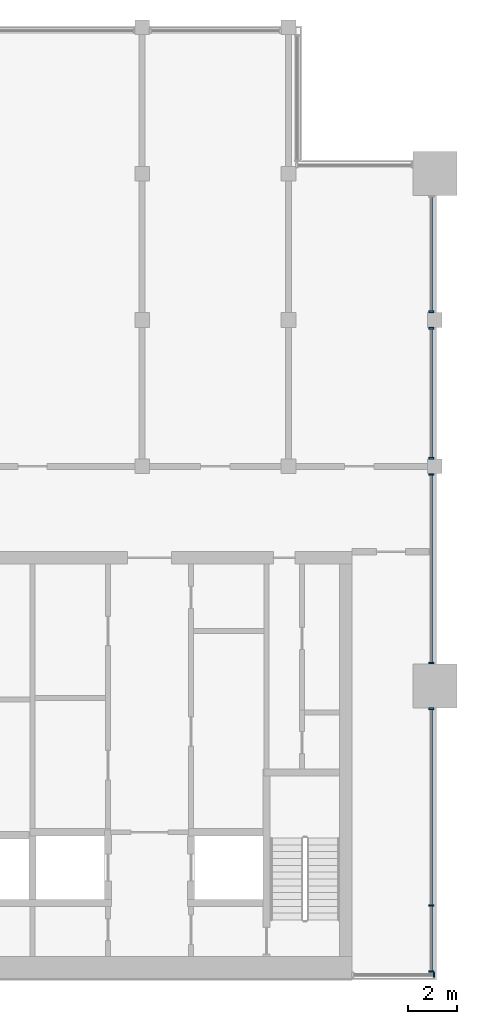
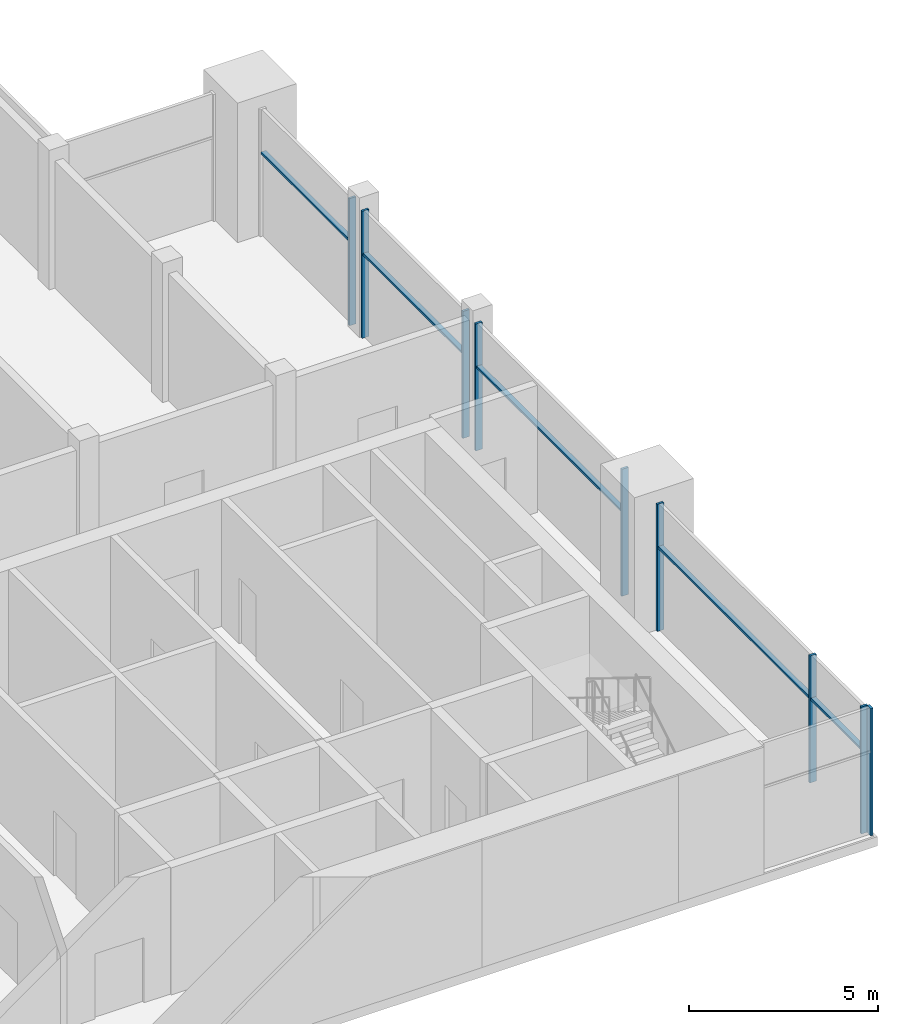
# One storey, part 4 of 9: 14 members, 5 elements without a shape of their own.
"""IFC4 building model written with IfcOpenShell, lengths in metres."""

from ifc_helpers import new_model, si_unit, direction, frame, origin, origin_2d, place, context, subcontext, project, spatial, rectangle, extrude, material, material_profile, profile_set, type_object, element, aggregate, save


model = new_model("IFC4")

# Units and contexts
model_context = context("Model", 3, precision=1e-05, world=origin(), true_north=direction((0.0, 1.0)))
body_context = subcontext(model_context, "Body", "Model", "MODEL_VIEW")
ifc_project = project(units=[si_unit("LENGTHUNIT", "METRE"), si_unit("AREAUNIT", "SQUARE_METRE"), si_unit("VOLUMEUNIT", "CUBIC_METRE"), si_unit("PLANEANGLEUNIT", "RADIAN"), si_unit("MASSUNIT", "GRAM", prefix="KILO")], contexts=[model_context])

# Site, building, storey
site_placement = place(None, origin())
site = spatial("IfcSite", under=ifc_project, at=site_placement, CompositionType="ELEMENT")
building_placement = place(site_placement, origin())
building = spatial("IfcBuilding", under=site, at=building_placement, Name="Finial Court Residences", CompositionType="ELEMENT")
storey_placement = place(building_placement, frame((0.0, 0.0, 307.699951171875)))
storey = spatial("IfcBuildingStorey", under=building, at=storey_placement, Name="L78", CompositionType="ELEMENT", Elevation=307.699951171875)

# Curtain wall, members
ifc_material = material(Name="Bronze anodised aluminium", Category="aluminium")
curtain_wall_type = type_object("IfcCurtainWallType", Name="Crown lantern glazing", PredefinedType="NOTDEFINED", material=ifc_material)
curtain_wall_1_placement = place(storey_placement, origin())
curtain_wall_1 = element("IfcCurtainWall", 1, at=curtain_wall_1_placement, inside=storey, type_object=curtain_wall_type, Name="E-L78-CW-E2c1", PredefinedType="NOTDEFINED")
ifc_material_profile_1 = material_profile(ifc_material, rectangle(XDim=0.199951171875, YDim=0.070068359375, at=origin_2d()), Name="CW6 mullion 70 x 200")
ifc_profile_set_1 = profile_set([ifc_material_profile_1], Name="Bronze anodised aluminium")
member_type_1 = type_object("IfcMemberType", Name="CW6 mullion 70 x 200", PredefinedType="MULLION", material=ifc_profile_set_1)
member_1_placement = place(storey_placement, frame((16.35009765625, -25.215087890625, 0.0), z_axis=(0.0, 0.0, 1.0), x_axis=(-1.0, 0.0, 0.0)))
member_1 = element("IfcMember", 2, at=member_1_placement, type_object=member_type_1, Name="CW6 mullion 1", PredefinedType="MULLION", context=body_context, shape_type="SweptSolid", body=[
    extrude(rectangle(XDim=0.199951171875, YDim=0.070068359375, at=origin_2d()), origin(), (0.0, 0.0, 1.0), 4.10009765625),
])
member_2_placement = place(storey_placement, frame((16.35009765625, -22.5, 0.0), z_axis=(0.0, 0.0, 1.0), x_axis=(-1.0, 0.0, 0.0)))
member_2 = element("IfcMember", 3, at=member_2_placement, type_object=member_type_1, Name="CW6 mullion 2", PredefinedType="MULLION", context=body_context, shape_type="SweptSolid", body=[
    extrude(rectangle(XDim=0.199951171875, YDim=0.070068359375, at=origin_2d()), origin(), (0.0, 0.0, 1.0), 4.10009765625),
])
member_3_placement = place(storey_placement, frame((16.35009765625, -14.43505859375, 0.0), z_axis=(0.0, 0.0, 1.0), x_axis=(-1.0, 0.0, 0.0)))
member_3 = element("IfcMember", 4, at=member_3_placement, type_object=member_type_1, Name="CW6 mullion 3", PredefinedType="MULLION", context=body_context, shape_type="SweptSolid", body=[
    extrude(rectangle(XDim=0.199951171875, YDim=0.070068359375, at=origin_2d()), origin(), (0.0, 0.0, 1.0), 4.10009765625),
])

curtain_wall_2_placement = place(storey_placement, origin())
curtain_wall_2 = element("IfcCurtainWall", 5, at=curtain_wall_2_placement, inside=storey, type_object=curtain_wall_type, Name="E-L78-CW-E2c2", PredefinedType="NOTDEFINED")
member_4_placement = place(storey_placement, frame((16.35009765625, -12.56494140625, 0.0), z_axis=(0.0, 0.0, 1.0), x_axis=(-1.0, 0.0, 0.0)))
member_4 = element("IfcMember", 6, at=member_4_placement, type_object=member_type_1, Name="CW6 mullion 1", PredefinedType="MULLION", context=body_context, shape_type="SweptSolid", body=[
    extrude(rectangle(XDim=0.199951171875, YDim=0.070068359375, at=origin_2d()), origin(), (0.0, 0.0, 1.0), 4.10009765625),
])
member_5_placement = place(storey_placement, frame((16.35009765625, -4.8349609375, 0.0), z_axis=(0.0, 0.0, 1.0), x_axis=(-1.0, 0.0, 0.0)))
member_5 = element("IfcMember", 7, at=member_5_placement, type_object=member_type_1, Name="CW6 mullion 2", PredefinedType="MULLION", context=body_context, shape_type="SweptSolid", body=[
    extrude(rectangle(XDim=0.199951171875, YDim=0.070068359375, at=origin_2d()), origin(), (0.0, 0.0, 1.0), 4.10009765625),
])

curtain_wall_3_placement = place(storey_placement, origin())
curtain_wall_3 = element("IfcCurtainWall", 8, at=curtain_wall_3_placement, inside=storey, type_object=curtain_wall_type, Name="E-L78-CW-E2c3", PredefinedType="NOTDEFINED")
member_6_placement = place(storey_placement, frame((16.35009765625, -4.1650390625, 0.0), z_axis=(0.0, 0.0, 1.0), x_axis=(-1.0, 0.0, 0.0)))
member_6 = element("IfcMember", 9, at=member_6_placement, type_object=member_type_1, Name="CW6 mullion 1", PredefinedType="MULLION", context=body_context, shape_type="SweptSolid", body=[
    extrude(rectangle(XDim=0.199951171875, YDim=0.070068359375, at=origin_2d()), origin(), (0.0, 0.0, 1.0), 4.10009765625),
])
member_7_placement = place(storey_placement, frame((16.35009765625, 1.1650390625, 0.0), z_axis=(0.0, 0.0, 1.0), x_axis=(-1.0, 0.0, 0.0)))
member_7 = element("IfcMember", 10, at=member_7_placement, type_object=member_type_1, Name="CW6 mullion 2", PredefinedType="MULLION", context=body_context, shape_type="SweptSolid", body=[
    extrude(rectangle(XDim=0.199951171875, YDim=0.070068359375, at=origin_2d()), origin(), (0.0, 0.0, 1.0), 4.10009765625),
])

# Curtain wall, member
curtain_wall_4_placement = place(storey_placement, origin())
curtain_wall_4 = element("IfcCurtainWall", 11, at=curtain_wall_4_placement, inside=storey, type_object=curtain_wall_type, Name="E-L78-CW-E2c4", PredefinedType="NOTDEFINED")
member_8_placement = place(storey_placement, frame((16.35009765625, 1.8349609375, 0.0), z_axis=(0.0, 0.0, 1.0), x_axis=(-1.0, 0.0, 0.0)))
member_8 = element("IfcMember", 12, at=member_8_placement, type_object=member_type_1, Name="CW6 mullion 1", PredefinedType="MULLION", context=body_context, shape_type="SweptSolid", body=[
    extrude(rectangle(XDim=0.199951171875, YDim=0.070068359375, at=origin_2d()), origin(), (0.0, 0.0, 1.0), 4.10009765625),
])

curtain_wall_5_placement = place(storey_placement, origin())
curtain_wall_5 = element("IfcCurtainWall", 13, at=curtain_wall_5_placement, inside=storey, type_object=curtain_wall_type, Name="E-L78-CW-S4", PredefinedType="NOTDEFINED")
member_9_placement = place(storey_placement, frame((16.465087890625, -25.35009765625, 0.0), z_axis=(0.0, 0.0, 1.0), x_axis=(0.0, 1.0, 0.0)))
member_9 = element("IfcMember", 14, at=member_9_placement, type_object=member_type_1, Name="CW6 mullion 2", PredefinedType="MULLION", context=body_context, shape_type="SweptSolid", body=[
    extrude(rectangle(XDim=0.199951171875, YDim=0.070068359375, at=origin_2d()), origin(), (0.0, 0.0, 1.0), 4.10009765625),
])
aggregate(curtain_wall_5, [member_9])

# Member
ifc_material_profile_2 = material_profile(ifc_material, rectangle(XDim=0.14990234375, YDim=0.070068359375, at=origin_2d()), Name="CW6 transom 70 x 150")
ifc_profile_set_2 = profile_set([ifc_material_profile_2], Name="Bronze anodised aluminium")
member_type_2 = type_object("IfcMemberType", Name="CW6 transom 70 x 150", PredefinedType="USERDEFINED", material=ifc_profile_set_2)
member_10_placement = place(storey_placement, frame((16.35009765625, -25.179931640625, 2.699951171875), z_axis=(0.0, 1.0, 0.0), x_axis=(-1.0, 0.0, 0.0)))
member_10 = element("IfcMember", 15, at=member_10_placement, type_object=member_type_2, Name="CW6 transom 1.1", ObjectType="TRANSOM", PredefinedType="USERDEFINED", context=body_context, shape_type="SweptSolid", body=[
    extrude(rectangle(XDim=0.14990234375, YDim=0.070068359375, at=origin_2d()), origin(), (0.0, 0.0, 1.0), 2.64501953125),
])

member_11_placement = place(storey_placement, frame((16.35009765625, -22.465087890625, 2.699951171875), z_axis=(0.0, 1.0, 0.0), x_axis=(-1.0, 0.0, 0.0)))
member_11 = element("IfcMember", 16, at=member_11_placement, type_object=member_type_2, Name="CW6 transom 2.1", ObjectType="TRANSOM", PredefinedType="USERDEFINED", context=body_context, shape_type="SweptSolid", body=[
    extrude(rectangle(XDim=0.14990234375, YDim=0.070068359375, at=origin_2d()), origin(), (0.0, 0.0, 1.0), 7.9951171875),
])

aggregate(curtain_wall_1, [member_1, member_2, member_3, member_10, member_11])

member_12_placement = place(storey_placement, frame((16.35009765625, -12.530029296875, 2.699951171875), z_axis=(0.0, 1.0, 0.0), x_axis=(-1.0, 0.0, 0.0)))
member_12 = element("IfcMember", 17, at=member_12_placement, type_object=member_type_2, Name="CW6 transom 1.1", ObjectType="TRANSOM", PredefinedType="USERDEFINED", context=body_context, shape_type="SweptSolid", body=[
    extrude(rectangle(XDim=0.14990234375, YDim=0.070068359375, at=origin_2d()), origin(), (0.0, 0.0, 1.0), 7.659912109375),
])

aggregate(curtain_wall_2, [member_4, member_5, member_12])

member_13_placement = place(storey_placement, frame((16.35009765625, -4.1298828125, 2.699951171875), z_axis=(0.0, 1.0, 0.0), x_axis=(-1.0, 0.0, 0.0)))
member_13 = element("IfcMember", 18, at=member_13_placement, type_object=member_type_2, Name="CW6 transom 1.1", ObjectType="TRANSOM", PredefinedType="USERDEFINED", context=body_context, shape_type="SweptSolid", body=[
    extrude(rectangle(XDim=0.14990234375, YDim=0.070068359375, at=origin_2d()), origin(), (0.0, 0.0, 1.0), 5.259765625),
])

aggregate(curtain_wall_3, [member_6, member_7, member_13])

member_14_placement = place(storey_placement, frame((16.35009765625, 1.8701171875, 2.699951171875), z_axis=(0.0, 1.0, 0.0), x_axis=(-1.0, 0.0, 0.0)))
member_14 = element("IfcMember", 19, at=member_14_placement, type_object=member_type_2, Name="CW6 transom 1.1", ObjectType="TRANSOM", PredefinedType="USERDEFINED", context=body_context, shape_type="SweptSolid", body=[
    extrude(rectangle(XDim=0.14990234375, YDim=0.070068359375, at=origin_2d()), origin(), (0.0, 0.0, 1.0), 4.659912109375),
])

aggregate(curtain_wall_4, [member_8, member_14])

save(model, "model.ifc")
